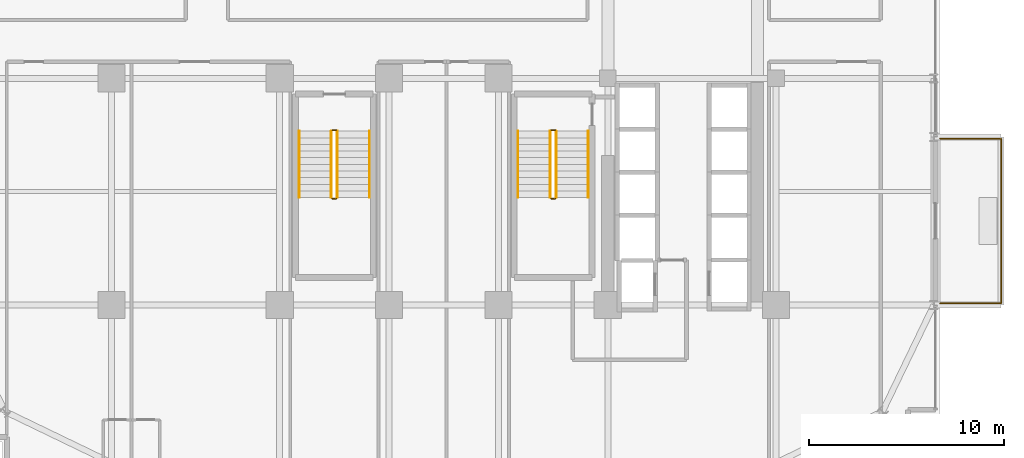
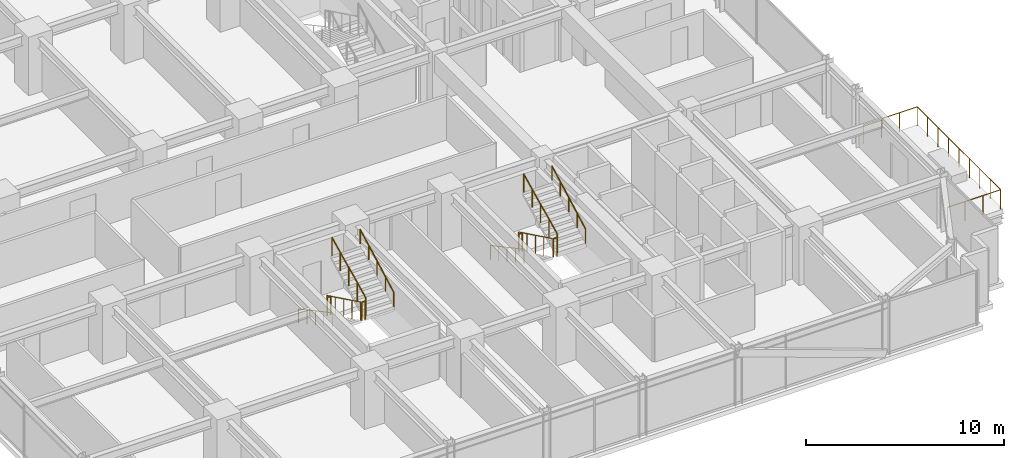
# One storey, part 33 of 35: 13 railings.
"""IFC4 building model written with IfcOpenShell, lengths in metres."""

from ifc_helpers import new_model, si_unit, direction, frame, origin, origin_2d, place, context, subcontext, project, spatial, circle, extrude, material, type_object, element, save


model = new_model("IFC4")

# Units and contexts
model_context = context("Model", 3, precision=1e-05, world=origin(), true_north=direction((0.0, 1.0)))
body_context = subcontext(model_context, "Body", "Model", "MODEL_VIEW")
ifc_project = project(units=[si_unit("LENGTHUNIT", "METRE"), si_unit("AREAUNIT", "SQUARE_METRE"), si_unit("VOLUMEUNIT", "CUBIC_METRE"), si_unit("PLANEANGLEUNIT", "RADIAN"), si_unit("MASSUNIT", "GRAM", prefix="KILO")], contexts=[model_context])

# Site, building, storey
site_placement = place(None, origin())
site = spatial("IfcSite", under=ifc_project, at=site_placement, CompositionType="ELEMENT")
building_placement = place(site_placement, origin())
building = spatial("IfcBuilding", under=site, at=building_placement, Name="Nahalor Promenade Grand Hotel", CompositionType="ELEMENT")
storey_placement = place(building_placement, frame((0.0, 0.0, 39.699951171875)))
storey = spatial("IfcBuildingStorey", under=building, at=storey_placement, Name="L08", CompositionType="ELEMENT", Elevation=39.699951171875)

# Railings
ifc_material_1 = material(Name="Anodised Bronze Aluminium EN AW-6063 T6", Category="aluminium")
railing_type_1 = type_object("IfcRailingType", Name="Bronze Balcony Guardrail 1200 mm", PredefinedType="GUARDRAIL", material=ifc_material_1)
railing_1_placement = place(storey_placement, frame((25.39990234375, -16.919921875, 0.0)))
element("IfcRailing", 1, at=railing_1_placement, inside=storey, type_object=railing_type_1, Name="L08 Balcony Guardrail 2", PredefinedType="GUARDRAIL", context=body_context, shape_type="SweptSolid", body=[
    extrude(circle(Radius=0.024048, at=origin_2d()), frame((0.0, 0.0, 1.17578125), z_axis=(1.0, 0.0, 0.0), x_axis=(0.0, 1.0, 0.0)), (0.0, 0.0, 1.0), 3.1181640625),
    extrude(circle(Radius=0.024048, at=origin_2d()), frame((3.1201171875, 0.001953125, 1.17578125), z_axis=(0.0, 1.0, 0.0), x_axis=(-1.0, 0.0, 0.0)), (0.0, 0.0, 1.0), 8.43603515625),
    extrude(circle(Radius=0.024048, at=origin_2d()), frame((3.1181640625, 8.43994140625, 1.17578125), z_axis=(-1.0, 0.0, 0.0), x_axis=(0.0, -1.0, 0.0)), (0.0, 0.0, 1.0), 3.1181640625),
    extrude(circle(Radius=0.020996, at=origin_2d()), origin(), (0.0, 0.0, 1.0), 1.14990234375),
    extrude(circle(Radius=0.020996, at=origin_2d()), frame((1.0400390625, 0.0, 0.0)), (0.0, 0.0, 1.0), 1.14990234375),
    extrude(circle(Radius=0.020996, at=origin_2d()), frame((2.080078125, 0.0, 0.0)), (0.0, 0.0, 1.0), 1.14990234375),
    extrude(circle(Radius=0.020996, at=origin_2d()), frame((3.1201171875, 0.0, 0.0)), (0.0, 0.0, 1.0), 1.14990234375),
    extrude(circle(Radius=0.020996, at=origin_2d()), frame((3.1201171875, 1.054931640625, 0.0)), (0.0, 0.0, 1.0), 1.14990234375),
    extrude(circle(Radius=0.020996, at=origin_2d()), frame((3.1201171875, 2.10986328125, 0.0)), (0.0, 0.0, 1.0), 1.14990234375),
    extrude(circle(Radius=0.020996, at=origin_2d()), frame((3.1201171875, 3.1650390625, 0.0)), (0.0, 0.0, 1.0), 1.14990234375),
    extrude(circle(Radius=0.020996, at=origin_2d()), frame((3.1201171875, 4.219970703125, 0.0)), (0.0, 0.0, 1.0), 1.14990234375),
    extrude(circle(Radius=0.020996, at=origin_2d()), frame((3.1201171875, 5.27490234375, 0.0)), (0.0, 0.0, 1.0), 1.14990234375),
    extrude(circle(Radius=0.020996, at=origin_2d()), frame((3.1201171875, 6.330078125, 0.0)), (0.0, 0.0, 1.0), 1.14990234375),
    extrude(circle(Radius=0.020996, at=origin_2d()), frame((3.1201171875, 7.385009765625, 0.0)), (0.0, 0.0, 1.0), 1.14990234375),
    extrude(circle(Radius=0.020996, at=origin_2d()), frame((3.1201171875, 8.43994140625, 0.0)), (0.0, 0.0, 1.0), 1.14990234375),
    extrude(circle(Radius=0.020996, at=origin_2d()), frame((2.080078125, 8.43994140625, 0.0)), (0.0, 0.0, 1.0), 1.14990234375),
    extrude(circle(Radius=0.020996, at=origin_2d()), frame((1.0400390625, 8.43994140625, 0.0)), (0.0, 0.0, 1.0), 1.14990234375),
    extrude(circle(Radius=0.020996, at=origin_2d()), frame((0.0, 8.43994140625, 0.0)), (0.0, 0.0, 1.0), 1.14990234375),
])
ifc_material_2 = material(Name="Steel S355JR", Category="steel")
railing_type_2 = type_object("IfcRailingType", Name="Steel Stair Guardrail 1150 mm", PredefinedType="GUARDRAIL", material=ifc_material_2)
railing_2_placement = place(storey_placement, frame((5.449951171875, -8.10009765625, 0.166015625)))
element("IfcRailing", 2, at=railing_2_placement, inside=storey, type_object=railing_type_2, Name="L08 ST2 stair guard 1", PredefinedType="GUARDRAIL", context=body_context, shape_type="SweptSolid", body=[
    extrude(circle(Radius=0.024048, at=origin_2d()), frame((0.0, 0.0, 1.1259765625), z_axis=(0.0, -0.898721922897, 0.438518990814), x_axis=(1.0, 0.0, 0.0)), (0.0, 0.0, 1.0), 3.782958984375),
    extrude(circle(Radius=0.020996, at=origin_2d()), origin(), (0.0, 0.0, 1.0), 1.099853515625),
    extrude(circle(Radius=0.020996, at=origin_2d()), frame((0.0, -0.85009765625, 0.414794921875)), (0.0, 0.0, 1.0), 1.099853515625),
    extrude(circle(Radius=0.020996, at=origin_2d()), frame((0.0, -1.699951171875, 0.82958984375)), (0.0, 0.0, 1.0), 1.099853515625),
    extrude(circle(Radius=0.020996, at=origin_2d()), frame((0.0, -2.5498046875, 1.244140625)), (0.0, 0.0, 1.0), 1.099853515625),
    extrude(circle(Radius=0.020996, at=origin_2d()), frame((0.0, -3.39990234375, 1.658935546875)), (0.0, 0.0, 1.0), 1.099853515625),
])
railing_3_placement = place(storey_placement, frame((5.5, -11.550048828125, 1.824951171875)))
element("IfcRailing", 3, at=railing_3_placement, inside=storey, type_object=railing_type_2, Name="L08 ST2 stair guard 2", PredefinedType="GUARDRAIL", context=body_context, shape_type="SweptSolid", body=[
    extrude(circle(Radius=0.024048, at=origin_2d()), frame((0.0, 0.0, 1.1259765625), z_axis=(1.0, 0.0, 0.0), x_axis=(0.0, 1.0, 0.0)), (0.0, 0.0, 1.0), 0.199951171875),
    extrude(circle(Radius=0.020996, at=origin_2d()), origin(), (0.0, 0.0, 1.0), 1.099853515625),
    extrude(circle(Radius=0.020996, at=origin_2d()), frame((0.199951171875, 0.0, 0.0)), (0.0, 0.0, 1.0), 1.099853515625),
])
railing_4_placement = place(storey_placement, frame((5.75, -11.5, 1.990966796875)))
element("IfcRailing", 4, at=railing_4_placement, inside=storey, type_object=railing_type_2, Name="L08 ST2 stair guard 3", PredefinedType="GUARDRAIL", context=body_context, shape_type="SweptSolid", body=[
    extrude(circle(Radius=0.024048, at=origin_2d()), frame((0.0, 0.0, 1.1259765625), z_axis=(0.0, 0.898696488221, 0.438571114028), x_axis=(-1.0, 0.0, 0.0)), (0.0, 0.0, 1.0), 3.783203125),
    extrude(circle(Radius=0.020996, at=origin_2d()), origin(), (0.0, 0.0, 1.0), 1.099853515625),
    extrude(circle(Radius=0.020996, at=origin_2d()), frame((0.0, 0.85009765625, 0.414794921875)), (0.0, 0.0, 1.0), 1.099853515625),
    extrude(circle(Radius=0.020996, at=origin_2d()), frame((0.0, 1.699951171875, 0.82958984375)), (0.0, 0.0, 1.0), 1.099853515625),
    extrude(circle(Radius=0.020996, at=origin_2d()), frame((0.0, 2.5498046875, 1.244384765625)), (0.0, 0.0, 1.0), 1.099853515625),
    extrude(circle(Radius=0.020996, at=origin_2d()), frame((0.0, 3.39990234375, 1.6591796875)), (0.0, 0.0, 1.0), 1.099853515625),
])
railing_5_placement = place(storey_placement, frame((5.5, -8.050048828125, 0.0)))
element("IfcRailing", 5, at=railing_5_placement, inside=storey, type_object=railing_type_2, Name="L08 ST2 stair guard 4", PredefinedType="GUARDRAIL", context=body_context, shape_type="SweptSolid", body=[
    extrude(circle(Radius=0.024048, at=origin_2d()), frame((0.0, 0.0, 1.1259765625), z_axis=(1.0, 0.0, 0.0), x_axis=(0.0, 1.0, 0.0)), (0.0, 0.0, 1.0), 0.199951171875),
    extrude(circle(Radius=0.020996, at=origin_2d()), origin(), (0.0, 0.0, 1.0), 1.099853515625),
    extrude(circle(Radius=0.020996, at=origin_2d()), frame((0.199951171875, 0.0, 0.0)), (0.0, 0.0, 1.0), 1.099853515625),
])
railing_6_placement = place(storey_placement, frame((-5.75, -8.10009765625, 0.166015625)))
element("IfcRailing", 6, at=railing_6_placement, inside=storey, type_object=railing_type_2, Name="L08 ST3 stair guard 1", PredefinedType="GUARDRAIL", context=body_context, shape_type="SweptSolid", body=[
    extrude(circle(Radius=0.024048, at=origin_2d()), frame((0.0, 0.0, 1.1259765625), z_axis=(0.0, -0.898721922897, 0.438518990814), x_axis=(1.0, 0.0, 0.0)), (0.0, 0.0, 1.0), 3.782958984375),
    extrude(circle(Radius=0.020996, at=origin_2d()), origin(), (0.0, 0.0, 1.0), 1.099853515625),
    extrude(circle(Radius=0.020996, at=origin_2d()), frame((0.0, -0.85009765625, 0.414794921875)), (0.0, 0.0, 1.0), 1.099853515625),
    extrude(circle(Radius=0.020996, at=origin_2d()), frame((0.0, -1.699951171875, 0.82958984375)), (0.0, 0.0, 1.0), 1.099853515625),
    extrude(circle(Radius=0.020996, at=origin_2d()), frame((0.0, -2.5498046875, 1.244140625)), (0.0, 0.0, 1.0), 1.099853515625),
    extrude(circle(Radius=0.020996, at=origin_2d()), frame((0.0, -3.39990234375, 1.658935546875)), (0.0, 0.0, 1.0), 1.099853515625),
])
railing_7_placement = place(storey_placement, frame((-5.699951171875, -11.550048828125, 1.824951171875)))
element("IfcRailing", 7, at=railing_7_placement, inside=storey, type_object=railing_type_2, Name="L08 ST3 stair guard 2", PredefinedType="GUARDRAIL", context=body_context, shape_type="SweptSolid", body=[
    extrude(circle(Radius=0.024048, at=origin_2d()), frame((0.0, 0.0, 1.1259765625), z_axis=(1.0, 0.0, 0.0), x_axis=(0.0, 1.0, 0.0)), (0.0, 0.0, 1.0), 0.199951171875),
    extrude(circle(Radius=0.020996, at=origin_2d()), origin(), (0.0, 0.0, 1.0), 1.099853515625),
    extrude(circle(Radius=0.020996, at=origin_2d()), frame((0.199951171875, 0.0, 0.0)), (0.0, 0.0, 1.0), 1.099853515625),
])
railing_8_placement = place(storey_placement, frame((-5.449951171875, -11.5, 1.990966796875)))
element("IfcRailing", 8, at=railing_8_placement, inside=storey, type_object=railing_type_2, Name="L08 ST3 stair guard 3", PredefinedType="GUARDRAIL", context=body_context, shape_type="SweptSolid", body=[
    extrude(circle(Radius=0.024048, at=origin_2d()), frame((0.0, 0.0, 1.1259765625), z_axis=(0.0, 0.898696488221, 0.438571114028), x_axis=(-1.0, 0.0, 0.0)), (0.0, 0.0, 1.0), 3.783203125),
    extrude(circle(Radius=0.020996, at=origin_2d()), origin(), (0.0, 0.0, 1.0), 1.099853515625),
    extrude(circle(Radius=0.020996, at=origin_2d()), frame((0.0, 0.85009765625, 0.414794921875)), (0.0, 0.0, 1.0), 1.099853515625),
    extrude(circle(Radius=0.020996, at=origin_2d()), frame((0.0, 1.699951171875, 0.82958984375)), (0.0, 0.0, 1.0), 1.099853515625),
    extrude(circle(Radius=0.020996, at=origin_2d()), frame((0.0, 2.5498046875, 1.244384765625)), (0.0, 0.0, 1.0), 1.099853515625),
    extrude(circle(Radius=0.020996, at=origin_2d()), frame((0.0, 3.39990234375, 1.6591796875)), (0.0, 0.0, 1.0), 1.099853515625),
])
railing_9_placement = place(storey_placement, frame((-5.699951171875, -8.050048828125, 0.0)))
element("IfcRailing", 9, at=railing_9_placement, inside=storey, type_object=railing_type_2, Name="L08 ST3 stair guard 4", PredefinedType="GUARDRAIL", context=body_context, shape_type="SweptSolid", body=[
    extrude(circle(Radius=0.024048, at=origin_2d()), frame((0.0, 0.0, 1.1259765625), z_axis=(1.0, 0.0, 0.0), x_axis=(0.0, 1.0, 0.0)), (0.0, 0.0, 1.0), 0.199951171875),
    extrude(circle(Radius=0.020996, at=origin_2d()), origin(), (0.0, 0.0, 1.0), 1.099853515625),
    extrude(circle(Radius=0.020996, at=origin_2d()), frame((0.199951171875, 0.0, 0.0)), (0.0, 0.0, 1.0), 1.099853515625),
])
railing_type_3 = type_object("IfcRailingType", Name="Steel Stair Handrail 900 mm", PredefinedType="HANDRAIL", material=ifc_material_2)
railing_10_placement = place(storey_placement, frame((3.800048828125, -8.10009765625, 0.166015625)))
element("IfcRailing", 10, at=railing_10_placement, inside=storey, type_object=railing_type_3, Name="L08 ST2 stair handrail 1", PredefinedType="HANDRAIL", context=body_context, shape_type="SweptSolid", body=[
    extrude(circle(Radius=0.024048, at=origin_2d()), frame((0.0, 0.0, 0.8759765625), z_axis=(0.0, -0.881094038095, 0.47294111265), x_axis=(1.0, 0.0, 0.0)), (0.0, 0.0, 1.0), 3.858642578125),
    extrude(circle(Radius=0.020996, at=origin_2d()), origin(), (0.0, 0.0, 1.0), 0.849853515625),
    extrude(circle(Radius=0.020996, at=origin_2d()), frame((0.0, -0.85009765625, 0.456298828125)), (0.0, 0.0, 1.0), 0.849853515625),
    extrude(circle(Radius=0.020996, at=origin_2d()), frame((0.0, -1.699951171875, 0.91259765625)), (0.0, 0.0, 1.0), 0.849853515625),
    extrude(circle(Radius=0.020996, at=origin_2d()), frame((0.0, -2.5498046875, 1.36865234375)), (0.0, 0.0, 1.0), 0.849853515625),
    extrude(circle(Radius=0.020996, at=origin_2d()), frame((0.0, -3.39990234375, 1.824951171875)), (0.0, 0.0, 1.0), 0.849853515625),
])
railing_11_placement = place(storey_placement, frame((7.39990234375, -11.5, 1.990966796875)))
element("IfcRailing", 11, at=railing_11_placement, inside=storey, type_object=railing_type_3, Name="L08 ST2 stair handrail 2", PredefinedType="HANDRAIL", context=body_context, shape_type="SweptSolid", body=[
    extrude(circle(Radius=0.024048, at=origin_2d()), frame((0.0, 0.0, 0.8759765625), z_axis=(0.0, 0.881094038095, 0.47294111265), x_axis=(-1.0, 0.0, 0.0)), (0.0, 0.0, 1.0), 3.858642578125),
    extrude(circle(Radius=0.020996, at=origin_2d()), origin(), (0.0, 0.0, 1.0), 0.849853515625),
    extrude(circle(Radius=0.020996, at=origin_2d()), frame((0.0, 0.85009765625, 0.456298828125)), (0.0, 0.0, 1.0), 0.849853515625),
    extrude(circle(Radius=0.020996, at=origin_2d()), frame((0.0, 1.699951171875, 0.91259765625)), (0.0, 0.0, 1.0), 0.849853515625),
    extrude(circle(Radius=0.020996, at=origin_2d()), frame((0.0, 2.5498046875, 1.36865234375)), (0.0, 0.0, 1.0), 0.849853515625),
    extrude(circle(Radius=0.020996, at=origin_2d()), frame((0.0, 3.39990234375, 1.824951171875)), (0.0, 0.0, 1.0), 0.849853515625),
])
railing_12_placement = place(storey_placement, frame((-7.39990234375, -8.10009765625, 0.166015625)))
element("IfcRailing", 12, at=railing_12_placement, inside=storey, type_object=railing_type_3, Name="L08 ST3 stair handrail 1", PredefinedType="HANDRAIL", context=body_context, shape_type="SweptSolid", body=[
    extrude(circle(Radius=0.024048, at=origin_2d()), frame((0.0, 0.0, 0.8759765625), z_axis=(0.0, -0.881094038095, 0.47294111265), x_axis=(1.0, 0.0, 0.0)), (0.0, 0.0, 1.0), 3.858642578125),
    extrude(circle(Radius=0.020996, at=origin_2d()), origin(), (0.0, 0.0, 1.0), 0.849853515625),
    extrude(circle(Radius=0.020996, at=origin_2d()), frame((0.0, -0.85009765625, 0.456298828125)), (0.0, 0.0, 1.0), 0.849853515625),
    extrude(circle(Radius=0.020996, at=origin_2d()), frame((0.0, -1.699951171875, 0.91259765625)), (0.0, 0.0, 1.0), 0.849853515625),
    extrude(circle(Radius=0.020996, at=origin_2d()), frame((0.0, -2.5498046875, 1.36865234375)), (0.0, 0.0, 1.0), 0.849853515625),
    extrude(circle(Radius=0.020996, at=origin_2d()), frame((0.0, -3.39990234375, 1.824951171875)), (0.0, 0.0, 1.0), 0.849853515625),
])
railing_13_placement = place(storey_placement, frame((-3.800048828125, -11.5, 1.990966796875)))
element("IfcRailing", 13, at=railing_13_placement, inside=storey, type_object=railing_type_3, Name="L08 ST3 stair handrail 2", PredefinedType="HANDRAIL", context=body_context, shape_type="SweptSolid", body=[
    extrude(circle(Radius=0.024048, at=origin_2d()), frame((0.0, 0.0, 0.8759765625), z_axis=(0.0, 0.881094038095, 0.47294111265), x_axis=(-1.0, 0.0, 0.0)), (0.0, 0.0, 1.0), 3.858642578125),
    extrude(circle(Radius=0.020996, at=origin_2d()), origin(), (0.0, 0.0, 1.0), 0.849853515625),
    extrude(circle(Radius=0.020996, at=origin_2d()), frame((0.0, 0.85009765625, 0.456298828125)), (0.0, 0.0, 1.0), 0.849853515625),
    extrude(circle(Radius=0.020996, at=origin_2d()), frame((0.0, 1.699951171875, 0.91259765625)), (0.0, 0.0, 1.0), 0.849853515625),
    extrude(circle(Radius=0.020996, at=origin_2d()), frame((0.0, 2.5498046875, 1.36865234375)), (0.0, 0.0, 1.0), 0.849853515625),
    extrude(circle(Radius=0.020996, at=origin_2d()), frame((0.0, 3.39990234375, 1.824951171875)), (0.0, 0.0, 1.0), 0.849853515625),
])

save(model, "model.ifc")
